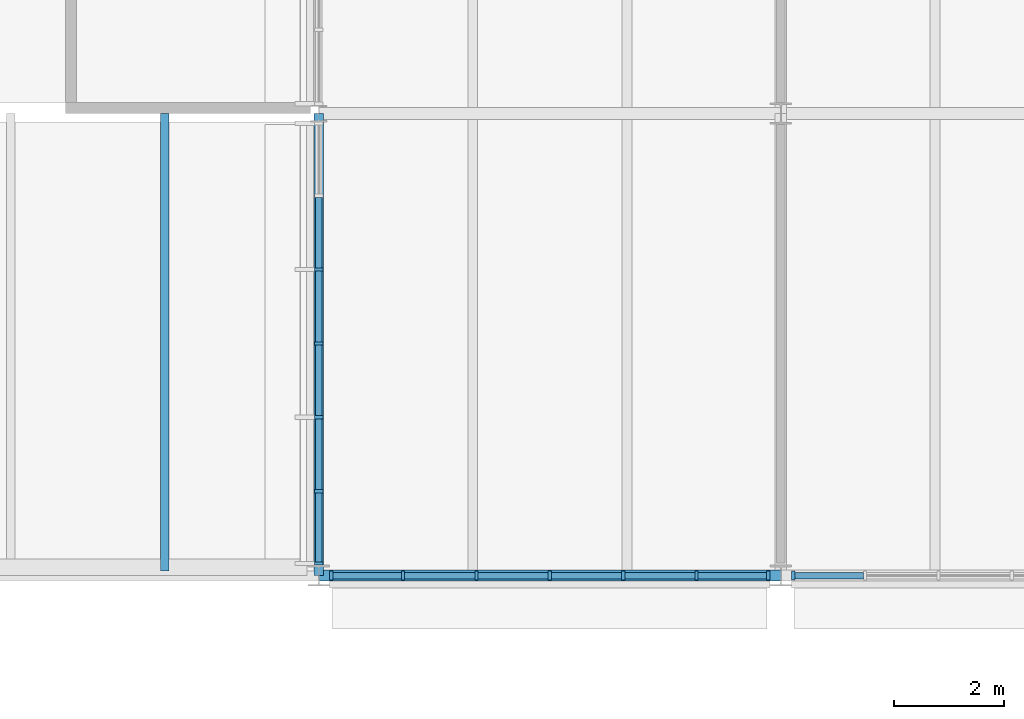
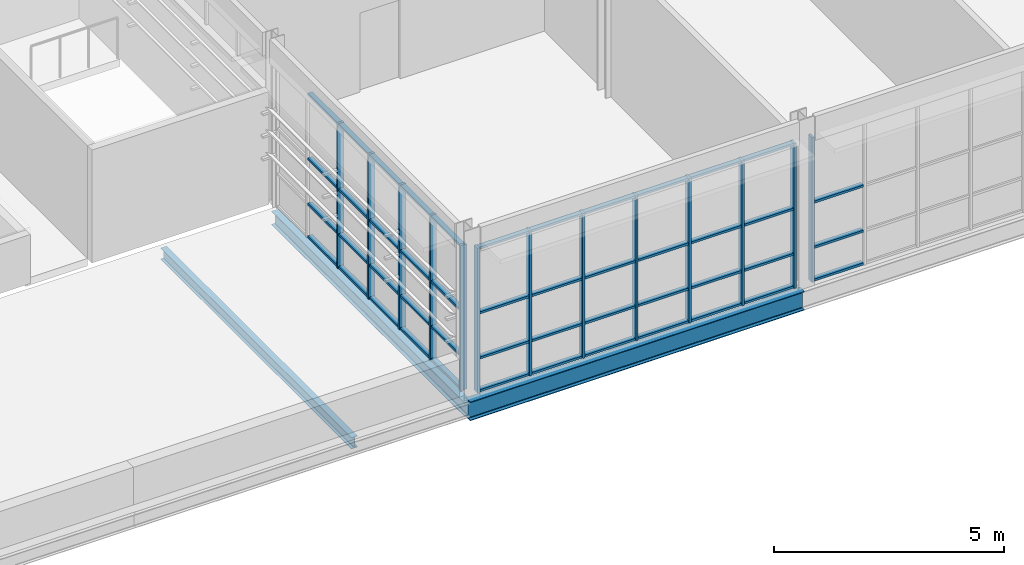
# One storey, part 9 of 29: 60 members, 3 beams, 3 elements without a shape of their own.
"""IFC4 building model written with IfcOpenShell, lengths in metres."""

import ifcopenshell
import ifcopenshell.guid

model = None  # the IFC model being written
_history = None  # IfcOwnerHistory: only IFC2X3 demands one
_inside = {}  # id of a spatial element -> (the spatial element, [elements in it])
_under = {}  # id of a project, library or spatial element -> (it, [spatial elements below it])
_declared = {}  # id of a project -> (the project, [libraries it declares])
_typed = {}  # id of a type object -> (the type object, [elements of that type])
_made_of = {}  # id of a material, layer set ... -> (it, [elements and type objects made of it])


def new_model(schema):
    """Start an empty IFC model of exactly this schema.

    Asked for "IFC4X3", IfcOpenShell would pick the latest addendum, in which some entities
    have other attributes; the version numbers below select the first issue.
    IFC2X3 requires an IfcOwnerHistory on every rooted entity: one is made here for all.
    """
    global model, _history
    if schema == "IFC4X3":
        model = ifcopenshell.file(schema_version=(4, 3, 0, 0))
    else:
        model = ifcopenshell.file(schema=schema)
    _inside.clear()
    _under.clear()
    _declared.clear()
    _typed.clear()
    _made_of.clear()
    _history = None
    if model.schema == "IFC2X3":
        org = make("IfcOrganization", Name="unknown")
        user = make(
            "IfcPersonAndOrganization",
            ThePerson=make("IfcPerson", FamilyName="unknown"),
            TheOrganization=org,
        )
        app = make(
            "IfcApplication",
            ApplicationDeveloper=org,
            Version="unknown",
            ApplicationFullName="unknown",
            ApplicationIdentifier="unknown",
        )
        _history = make(
            "IfcOwnerHistory",
            OwningUser=user,
            OwningApplication=app,
            ChangeAction="ADDED",
            CreationDate=0,
        )
    return model


def make(cls, **values):
    """One entity of the class cls with the attributes given. An attribute that is None is left unset."""
    return model.create_entity(
        cls, **{name: value for name, value in values.items() if value is not None}
    )


def rooted(cls, **values):
    """An entity with a GlobalId (a new one), such as an element, a storey or a relation."""
    return make(cls, GlobalId=ifcopenshell.guid.new(), OwnerHistory=_history, **values)


def si_unit(unit_type, name, prefix=None):
    """IfcSIUnit, for example si_unit("LENGTHUNIT", "METRE", prefix="MILLI")."""
    return make("IfcSIUnit", UnitType=unit_type, Prefix=prefix, Name=name)


def assignment(units):
    """IfcUnitAssignment: the units of a project."""
    return None if units is None else make("IfcUnitAssignment", Units=units)


def point(xyz):
    """IfcCartesianPoint."""
    return None if xyz is None else make("IfcCartesianPoint", Coordinates=xyz)


def direction(xyz):
    """IfcDirection."""
    return None if xyz is None else make("IfcDirection", DirectionRatios=xyz)


def frame(location, z_axis=None, x_axis=None):
    """IfcAxis2Placement3D, a coordinate frame: its origin and axes. An axis left out is left unset."""
    return make(
        "IfcAxis2Placement3D",
        Location=point(location),
        Axis=direction(z_axis),
        RefDirection=direction(x_axis),
    )


def frame_2d(location, x_axis=None):
    """IfcAxis2Placement2D, a coordinate frame in the plane: its origin and x axis."""
    return make(
        "IfcAxis2Placement2D", Location=point(location), RefDirection=direction(x_axis)
    )


def origin():
    """The frame at (0, 0, 0) with its axes left unset."""
    return frame((0.0, 0.0, 0.0))


def origin_2d():
    """The frame at (0, 0) in the plane with its x axis left unset."""
    return frame_2d((0.0, 0.0))


def place(relative_to, where):
    """IfcLocalPlacement: puts the frame where relative to a parent placement (None: the world)."""
    return make(
        "IfcLocalPlacement", PlacementRelTo=relative_to, RelativePlacement=where
    )


def context(
    kind, dimensions, precision=None, world=None, true_north=None, identifier=None
):
    """IfcGeometricRepresentationContext, for example the 3D "Model" context."""
    return make(
        "IfcGeometricRepresentationContext",
        ContextIdentifier=identifier,
        ContextType=kind,
        CoordinateSpaceDimension=dimensions,
        Precision=precision,
        WorldCoordinateSystem=world,
        TrueNorth=true_north,
    )


def subcontext(parent, identifier, kind, view, scale=None):
    """IfcGeometricRepresentationSubContext, for example "Body" below "Model"."""
    return make(
        "IfcGeometricRepresentationSubContext",
        ContextIdentifier=identifier,
        ContextType=kind,
        ParentContext=parent,
        TargetScale=scale,
        TargetView=view,
    )


def project(units=None, contexts=None):
    """IfcProject with its units and contexts."""
    return rooted(
        "IfcProject",
        Name="project",
        RepresentationContexts=contexts,
        UnitsInContext=assignment(units),
    )


def spatial(cls, under=None, at=None, **own):
    """A site, building, storey or space (cls), placed at a placement, below another one or the project."""
    s = rooted(cls, ObjectPlacement=at, **own)
    if under is not None:
        _under.setdefault(under.id(), (under, []))[1].append(s)
    return s


def profile(cls, at=None, kind="AREA", **sizes):
    """A parametric profile (cls). Its sizes go by their IFC names, for example OverallWidth=200.0."""
    return make(cls, ProfileType=kind, Position=at, **sizes)


def rectangle(**sizes):
    """IfcRectangleProfileDef."""
    return profile("IfcRectangleProfileDef", **sizes)


def i_section(**sizes):
    """IfcIShapeProfileDef."""
    return profile("IfcIShapeProfileDef", **sizes)


def extrude(swept, where, along, depth):
    """IfcExtrudedAreaSolid: the profile swept, set in the frame where, extruded along a direction by depth."""
    return make(
        "IfcExtrudedAreaSolid",
        SweptArea=swept,
        Position=where,
        ExtrudedDirection=direction(along),
        Depth=depth,
    )


def shape(context_of_items, identifier, shape_type, items):
    """IfcShapeRepresentation: the items that make up one representation, for example the "Body"."""
    return make(
        "IfcShapeRepresentation",
        ContextOfItems=context_of_items,
        RepresentationIdentifier=identifier,
        RepresentationType=shape_type,
        Items=items,
    )


def material(Name=None, Category=None):
    """IfcMaterial."""
    return make("IfcMaterial", Name=Name, Category=Category)


def layer(
    of_material, thickness, ventilated=None, Name=None, Category=None, Priority=None
):
    """IfcMaterialLayer: one layer of a wall or slab, of a material (None: an air gap)."""
    return make(
        "IfcMaterialLayer",
        Material=of_material,
        LayerThickness=thickness,
        IsVentilated=ventilated,
        Name=Name,
        Category=Category,
        Priority=Priority,
    )


def layer_set(layers, Name=None):
    """IfcMaterialLayerSet."""
    return make("IfcMaterialLayerSet", MaterialLayers=layers, LayerSetName=Name)


def material_profile(
    of_material, cross_section, Name=None, Category=None, Priority=None
):
    """IfcMaterialProfile: a cross section and its material."""
    return make(
        "IfcMaterialProfile",
        Name=Name,
        Material=of_material,
        Profile=cross_section,
        Priority=Priority,
        Category=Category,
    )


def profile_set(profiles, Name=None, composite=None):
    """IfcMaterialProfileSet."""
    return make(
        "IfcMaterialProfileSet",
        Name=Name,
        MaterialProfiles=profiles,
        CompositeProfile=composite,
    )


def made_of(thing, what):
    """Note that an element or type object is made of a material, layer set ...; save() writes the relation."""
    if what is not None:
        _made_of.setdefault(what.id(), (what, []))[1].append(thing)
    return thing


def type_object(cls, material=None, **own):
    """A type object (cls), such as IfcWallType, which elements share."""
    return made_of(rooted(cls, **own), material)


def element(
    cls,
    number,
    at=None,
    inside=None,
    cuts=None,
    type_object=None,
    material=None,
    context=None,
    identifier="Body",
    shape_type=None,
    held_by="IfcProductDefinitionShape",
    body=None,
    shapes=None,
    **own,
):
    """One element of the class cls, such as IfcWall. Its Tag is "e" and its number.

    at: its placement. inside: the storey or other place that contains it. cuts: it is an
    opening in that element (IfcRelVoidsElement). A single representation is given by context,
    identifier, shape_type and body (its items); several are given by shapes. held_by: the class
    of the entity that holds the representations. save() writes the other relations.
    """
    e = rooted(cls, Tag="e%d" % number, ObjectPlacement=at, **own)
    if body is not None:
        shapes = [shape(context, identifier, shape_type, body)]
    if shapes is not None:
        e.Representation = make(held_by, Representations=shapes)
    if inside is not None:
        _inside.setdefault(inside.id(), (inside, []))[1].append(e)
    if cuts is not None:
        rooted(
            "IfcRelVoidsElement", RelatingBuildingElement=cuts, RelatedOpeningElement=e
        )
    if type_object is not None:
        _typed.setdefault(type_object.id(), (type_object, []))[1].append(e)
    return made_of(e, material)


def aggregate(whole, parts):
    """IfcRelAggregates: a whole, such as a stair, and the parts it consists of."""
    return rooted("IfcRelAggregates", RelatingObject=whole, RelatedObjects=parts)


def save(model, path):
    """Write the relations noted so far, then the file.

    IfcRelAggregates (storeys below a building ...), IfcRelContainedInSpatialStructure (elements
    in a storey), IfcRelDefinesByType, IfcRelAssociatesMaterial and IfcRelDeclares: one each for
    every whole, place, type object, material and project.
    """
    for whole, parts in _under.values():
        aggregate(whole, parts)
    for where, things in _inside.values():
        rooted(
            "IfcRelContainedInSpatialStructure",
            RelatedElements=things,
            RelatingStructure=where,
        )
    for kind, things in _typed.values():
        rooted("IfcRelDefinesByType", RelatedObjects=things, RelatingType=kind)
    for what, things in _made_of.values():
        rooted("IfcRelAssociatesMaterial", RelatedObjects=things, RelatingMaterial=what)
    for by, libraries in _declared.values():
        rooted("IfcRelDeclares", RelatingContext=by, RelatedDefinitions=libraries)
    model.write(path)


model = new_model("IFC4")

# Units and contexts
model_context = context("Model", 3, precision=1e-05, world=origin(), true_north=direction((0.0, 1.0)))
body_context = subcontext(model_context, "Body", "Model", "MODEL_VIEW")
ifc_project = project(units=[si_unit("LENGTHUNIT", "METRE"), si_unit("AREAUNIT", "SQUARE_METRE"), si_unit("VOLUMEUNIT", "CUBIC_METRE"), si_unit("PLANEANGLEUNIT", "RADIAN"), si_unit("MASSUNIT", "GRAM", prefix="KILO")], contexts=[model_context])

# Site, building, storey
site_placement = place(None, origin())
site = spatial("IfcSite", under=ifc_project, at=site_placement, CompositionType="ELEMENT")
building_placement = place(site_placement, origin())
building = spatial("IfcBuilding", under=site, at=building_placement, Name="Ardhachandra Cancer Care Centre", CompositionType="ELEMENT")
storey_placement = place(building_placement, frame((0.0, 0.0, 13.5)))
storey = spatial("IfcBuildingStorey", under=building, at=storey_placement, Name="L03", CompositionType="ELEMENT", Elevation=13.5)

# Beams
ifc_material_1 = material(Name="Steel E350 (IS 2062)", Category="steel")
ifc_material_profile_1 = material_profile(ifc_material_1, i_section(OverallWidth=0.152099609375, OverallDepth=0.303955078125, WebThickness=0.008056640625, FlangeThickness=0.0126953125, FilletRadius=0.014892578125, at=origin_2d()), Name="NPB 300x150x49.32")
ifc_profile_set_1 = profile_set([ifc_material_profile_1], Name="Steel E350 (IS 2062)")
beam_type_1 = type_object("IfcBeamType", Name="Beam NPB 300x150x49.32", PredefinedType="BEAM", material=ifc_profile_set_1)
beam_1_placement = place(storey_placement, frame((108.800048828125, 79.885986328125, -0.35205078125), z_axis=(0.0, 1.0, 0.0), x_axis=(-1.0, 0.0, 0.0)))
element("IfcBeam", 1, at=beam_1_placement, inside=storey, type_object=beam_type_1, Name="Secondary J12-K12@5600", PredefinedType="BEAM", context=body_context, shape_type="SweptSolid", body=[
    extrude(i_section(OverallWidth=0.152099609375, OverallDepth=0.303955078125, WebThickness=0.008056640625, FlangeThickness=0.0126953125, FilletRadius=0.014892578125, at=origin_2d()), origin(), (0.0, 0.0, 1.0), 8.31396484375),
])
ifc_material_2 = material(Name="Steel E350 (IS 2062)", Category="steel")
ifc_material_profile_2 = material_profile(ifc_material_2, i_section(OverallWidth=0.172119140625, OverallDepth=0.364013671875, WebThickness=0.00927734375, FlangeThickness=0.0146484375, FilletRadius=0.01806640625, at=origin_2d()), Name="NPB 350x170x66.04")
ifc_profile_set_2 = profile_set([ifc_material_profile_2], Name="Steel E350 (IS 2062)")
beam_type_2 = type_object("IfcBeamType", Name="Beam NPB 350x170x66.04", PredefinedType="BEAM", material=ifc_profile_set_2)
beam_2_placement = place(storey_placement, frame((111.60009765625, 79.800048828125, -0.382080078125), z_axis=(0.0, 1.0, 0.0), x_axis=(-1.0, 0.0, 0.0)))
element("IfcBeam", 2, at=beam_2_placement, inside=storey, type_object=beam_type_2, Name="Edge girder J13-K13", PredefinedType="BEAM", context=body_context, shape_type="SweptSolid", body=[
    extrude(i_section(OverallWidth=0.172119140625, OverallDepth=0.364013671875, WebThickness=0.00927734375, FlangeThickness=0.0146484375, FilletRadius=0.01806640625, at=origin_2d()), origin(), (0.0, 0.0, 1.0), 8.39990234375),
])
ifc_material_3 = material(Name="Steel E350 (IS 2062)", Category="steel")
ifc_material_profile_3 = material_profile(ifc_material_3, i_section(OverallWidth=0.199951171875, OverallDepth=0.5, WebThickness=0.01025390625, FlangeThickness=0.01611328125, FilletRadius=0.02099609375, at=origin_2d()), Name="NPB 500x200x90.68")
ifc_profile_set_3 = profile_set([ifc_material_profile_3], Name="Steel E350 (IS 2062)")
beam_type_3 = type_object("IfcBeamType", Name="Beam NPB 500x200x90.68", PredefinedType="BEAM", material=ifc_profile_set_3)
beam_3_placement = place(storey_placement, frame((111.60009765625, 79.800048828125, -0.39990234375), z_axis=(1.0, 0.0, 0.0), x_axis=(0.0, 1.0, 0.0)))
element("IfcBeam", 3, at=beam_3_placement, inside=storey, type_object=beam_type_3, Name="Edge girder J13-J14", PredefinedType="BEAM", context=body_context, shape_type="SweptSolid", body=[
    extrude(i_section(OverallWidth=0.199951171875, OverallDepth=0.5, WebThickness=0.01025390625, FlangeThickness=0.01611328125, FilletRadius=0.02099609375, at=origin_2d()), origin(), (0.0, 0.0, 1.0), 8.39990234375),
])

# Curtain wall, members
ifc_material_4 = material(Name="Aluminium extrusion", Category="aluminium")
ifc_layer = layer(ifc_material_4, 0.14990234375)
ifc_layer_set = layer_set([ifc_layer], Name="Aluminium extrusion")
curtain_wall_type = type_object("IfcCurtainWallType", Name="Curtain wall run", PredefinedType="NOTDEFINED", material=ifc_layer_set)
curtain_wall_1_placement = place(storey_placement, origin())
curtain_wall_1 = element("IfcCurtainWall", 4, at=curtain_wall_1_placement, inside=storey, type_object=curtain_wall_type, Name="Curtain wall L03 s/0111600_0079800", PredefinedType="NOTDEFINED")
ifc_material_5 = material(Name="Aluminium extrusion", Category="aluminium")
ifc_material_profile_4 = material_profile(ifc_material_5, rectangle(XDim=0.159912109375, YDim=0.06005859375, at=origin_2d()), Name="Curtain wall mullion 60 x 160")
ifc_profile_set_4 = profile_set([ifc_material_profile_4], Name="Aluminium extrusion")
member_type_1 = type_object("IfcMemberType", Name="Curtain wall mullion 60 x 160", PredefinedType="MULLION", material=ifc_profile_set_4)
member_1_placement = place(storey_placement, frame((111.827392578125, 79.800048828125, 0.0), z_axis=(0.0, 0.0, 1.0), x_axis=(0.0, 1.0, 0.0)))
member_1 = element("IfcMember", 5, at=member_1_placement, type_object=member_type_1, Name="CW mullion 1", PredefinedType="MULLION", context=body_context, shape_type="SweptSolid", body=[
    extrude(rectangle(XDim=0.159912109375, YDim=0.06005859375, at=origin_2d()), origin(), (0.0, 0.0, 1.0), 3.85009765625),
])
member_2_placement = place(storey_placement, frame((113.131591796875, 79.800048828125, 0.0), z_axis=(0.0, 0.0, 1.0), x_axis=(0.0, 1.0, 0.0)))
member_2 = element("IfcMember", 6, at=member_2_placement, type_object=member_type_1, Name="CW mullion 2", PredefinedType="MULLION", context=body_context, shape_type="SweptSolid", body=[
    extrude(rectangle(XDim=0.159912109375, YDim=0.06005859375, at=origin_2d()), origin(), (0.0, 0.0, 1.0), 3.85009765625),
])
member_3_placement = place(storey_placement, frame((114.4658203125, 79.800048828125, 0.0), z_axis=(0.0, 0.0, 1.0), x_axis=(0.0, 1.0, 0.0)))
member_3 = element("IfcMember", 7, at=member_3_placement, type_object=member_type_1, Name="CW mullion 3", PredefinedType="MULLION", context=body_context, shape_type="SweptSolid", body=[
    extrude(rectangle(XDim=0.159912109375, YDim=0.06005859375, at=origin_2d()), origin(), (0.0, 0.0, 1.0), 3.85009765625),
])
member_4_placement = place(storey_placement, frame((115.800048828125, 79.800048828125, 0.0), z_axis=(0.0, 0.0, 1.0), x_axis=(0.0, 1.0, 0.0)))
member_4 = element("IfcMember", 8, at=member_4_placement, type_object=member_type_1, Name="CW mullion 4", PredefinedType="MULLION", context=body_context, shape_type="SweptSolid", body=[
    extrude(rectangle(XDim=0.159912109375, YDim=0.06005859375, at=origin_2d()), origin(), (0.0, 0.0, 1.0), 3.85009765625),
])
member_5_placement = place(storey_placement, frame((117.13427734375, 79.800048828125, 0.0), z_axis=(0.0, 0.0, 1.0), x_axis=(0.0, 1.0, 0.0)))
member_5 = element("IfcMember", 9, at=member_5_placement, type_object=member_type_1, Name="CW mullion 5", PredefinedType="MULLION", context=body_context, shape_type="SweptSolid", body=[
    extrude(rectangle(XDim=0.159912109375, YDim=0.06005859375, at=origin_2d()), origin(), (0.0, 0.0, 1.0), 3.85009765625),
])
member_6_placement = place(storey_placement, frame((118.46826171875, 79.800048828125, 0.0), z_axis=(0.0, 0.0, 1.0), x_axis=(0.0, 1.0, 0.0)))
member_6 = element("IfcMember", 10, at=member_6_placement, type_object=member_type_1, Name="CW mullion 6", PredefinedType="MULLION", context=body_context, shape_type="SweptSolid", body=[
    extrude(rectangle(XDim=0.159912109375, YDim=0.06005859375, at=origin_2d()), origin(), (0.0, 0.0, 1.0), 3.85009765625),
])
member_7_placement = place(storey_placement, frame((119.7724609375, 79.800048828125, 0.0), z_axis=(0.0, 0.0, 1.0), x_axis=(0.0, 1.0, 0.0)))
member_7 = element("IfcMember", 11, at=member_7_placement, type_object=member_type_1, Name="CW mullion 7", PredefinedType="MULLION", context=body_context, shape_type="SweptSolid", body=[
    extrude(rectangle(XDim=0.159912109375, YDim=0.06005859375, at=origin_2d()), origin(), (0.0, 0.0, 1.0), 3.85009765625),
])

# Curtain wall, member
curtain_wall_2_placement = place(storey_placement, origin())
curtain_wall_2 = element("IfcCurtainWall", 12, at=curtain_wall_2_placement, inside=storey, type_object=curtain_wall_type, Name="Curtain wall L03 s/0120000_0079800", PredefinedType="NOTDEFINED")
member_8_placement = place(storey_placement, frame((120.2275390625, 79.800048828125, 0.0), z_axis=(0.0, 0.0, 1.0), x_axis=(0.0, 1.0, 0.0)))
member_8 = element("IfcMember", 13, at=member_8_placement, type_object=member_type_1, Name="CW mullion 1", PredefinedType="MULLION", context=body_context, shape_type="SweptSolid", body=[
    extrude(rectangle(XDim=0.159912109375, YDim=0.06005859375, at=origin_2d()), origin(), (0.0, 0.0, 1.0), 3.85009765625),
])

# Curtain wall, members
curtain_wall_3_placement = place(storey_placement, origin())
curtain_wall_3 = element("IfcCurtainWall", 14, at=curtain_wall_3_placement, inside=storey, type_object=curtain_wall_type, Name="Curtain wall L03 w/0111600_0079800", PredefinedType="NOTDEFINED")
member_9_placement = place(storey_placement, frame((111.60009765625, 80.02001953125, 0.0), z_axis=(0.0, 0.0, 1.0), x_axis=(-1.0, 0.0, 0.0)))
member_9 = element("IfcMember", 15, at=member_9_placement, type_object=member_type_1, Name="CW mullion 1", PredefinedType="MULLION", context=body_context, shape_type="SweptSolid", body=[
    extrude(rectangle(XDim=0.159912109375, YDim=0.06005859375, at=origin_2d()), origin(), (0.0, 0.0, 1.0), 3.85009765625),
])
member_10_placement = place(storey_placement, frame((111.60009765625, 81.333251953125, 0.0), z_axis=(0.0, 0.0, 1.0), x_axis=(-1.0, 0.0, 0.0)))
member_10 = element("IfcMember", 16, at=member_10_placement, type_object=member_type_1, Name="CW mullion 2", PredefinedType="MULLION", context=body_context, shape_type="SweptSolid", body=[
    extrude(rectangle(XDim=0.159912109375, YDim=0.06005859375, at=origin_2d()), origin(), (0.0, 0.0, 1.0), 3.85009765625),
])
member_11_placement = place(storey_placement, frame((111.60009765625, 82.6767578125, 0.0), z_axis=(0.0, 0.0, 1.0), x_axis=(-1.0, 0.0, 0.0)))
member_11 = element("IfcMember", 17, at=member_11_placement, type_object=member_type_1, Name="CW mullion 3", PredefinedType="MULLION", context=body_context, shape_type="SweptSolid", body=[
    extrude(rectangle(XDim=0.159912109375, YDim=0.06005859375, at=origin_2d()), origin(), (0.0, 0.0, 1.0), 3.85009765625),
])
member_12_placement = place(storey_placement, frame((111.60009765625, 84.02001953125, 0.0), z_axis=(0.0, 0.0, 1.0), x_axis=(-1.0, 0.0, 0.0)))
member_12 = element("IfcMember", 18, at=member_12_placement, type_object=member_type_1, Name="CW mullion 4", PredefinedType="MULLION", context=body_context, shape_type="SweptSolid", body=[
    extrude(rectangle(XDim=0.159912109375, YDim=0.06005859375, at=origin_2d()), origin(), (0.0, 0.0, 1.0), 3.85009765625),
])
member_13_placement = place(storey_placement, frame((111.60009765625, 85.36328125, 0.0), z_axis=(0.0, 0.0, 1.0), x_axis=(-1.0, 0.0, 0.0)))
member_13 = element("IfcMember", 19, at=member_13_placement, type_object=member_type_1, Name="CW mullion 5", PredefinedType="MULLION", context=body_context, shape_type="SweptSolid", body=[
    extrude(rectangle(XDim=0.159912109375, YDim=0.06005859375, at=origin_2d()), origin(), (0.0, 0.0, 1.0), 3.85009765625),
])

# Member
ifc_material_6 = material(Name="Aluminium extrusion", Category="aluminium")
ifc_material_profile_5 = material_profile(ifc_material_6, rectangle(XDim=0.1201171875, YDim=0.06005859375, at=origin_2d()), Name="Curtain wall transom 60 x 120")
ifc_profile_set_5 = profile_set([ifc_material_profile_5], Name="Aluminium extrusion")
member_type_2 = type_object("IfcMemberType", Name="Curtain wall transom 60 x 120", PredefinedType="USERDEFINED", material=ifc_profile_set_5)
member_14_placement = place(storey_placement, frame((111.857421875, 79.800048828125, 0.030029296875), z_axis=(1.0, 0.0, 0.0), x_axis=(0.0, 1.0, 0.0)))
member_14 = element("IfcMember", 20, at=member_14_placement, type_object=member_type_2, Name="CW transom 1.1", ObjectType="TRANSOM", PredefinedType="USERDEFINED", context=body_context, shape_type="SweptSolid", body=[
    extrude(rectangle(XDim=0.1201171875, YDim=0.06005859375, at=origin_2d()), origin(), (0.0, 0.0, 1.0), 1.244140625),
])

member_15_placement = place(storey_placement, frame((111.857421875, 79.800048828125, 0.89990234375), z_axis=(1.0, 0.0, 0.0), x_axis=(0.0, 1.0, 0.0)))
member_15 = element("IfcMember", 21, at=member_15_placement, type_object=member_type_2, Name="CW transom 1.2", ObjectType="TRANSOM", PredefinedType="USERDEFINED", context=body_context, shape_type="SweptSolid", body=[
    extrude(rectangle(XDim=0.1201171875, YDim=0.06005859375, at=origin_2d()), origin(), (0.0, 0.0, 1.0), 1.244140625),
])

member_16_placement = place(storey_placement, frame((111.857421875, 79.800048828125, 2.10009765625), z_axis=(1.0, 0.0, 0.0), x_axis=(0.0, 1.0, 0.0)))
member_16 = element("IfcMember", 22, at=member_16_placement, type_object=member_type_2, Name="CW transom 1.3", ObjectType="TRANSOM", PredefinedType="USERDEFINED", context=body_context, shape_type="SweptSolid", body=[
    extrude(rectangle(XDim=0.1201171875, YDim=0.06005859375, at=origin_2d()), origin(), (0.0, 0.0, 1.0), 1.244140625),
])

member_17_placement = place(storey_placement, frame((111.857421875, 79.800048828125, 3.820068359375), z_axis=(1.0, 0.0, 0.0), x_axis=(0.0, 1.0, 0.0)))
member_17 = element("IfcMember", 23, at=member_17_placement, type_object=member_type_2, Name="CW transom 1.4", ObjectType="TRANSOM", PredefinedType="USERDEFINED", context=body_context, shape_type="SweptSolid", body=[
    extrude(rectangle(XDim=0.1201171875, YDim=0.06005859375, at=origin_2d()), origin(), (0.0, 0.0, 1.0), 1.244140625),
])

member_18_placement = place(storey_placement, frame((113.16162109375, 79.800048828125, 0.030029296875), z_axis=(1.0, 0.0, 0.0), x_axis=(0.0, 1.0, 0.0)))
member_18 = element("IfcMember", 24, at=member_18_placement, type_object=member_type_2, Name="CW transom 2.1", ObjectType="TRANSOM", PredefinedType="USERDEFINED", context=body_context, shape_type="SweptSolid", body=[
    extrude(rectangle(XDim=0.1201171875, YDim=0.06005859375, at=origin_2d()), origin(), (0.0, 0.0, 1.0), 1.274169921875),
])

member_19_placement = place(storey_placement, frame((113.16162109375, 79.800048828125, 0.89990234375), z_axis=(1.0, 0.0, 0.0), x_axis=(0.0, 1.0, 0.0)))
member_19 = element("IfcMember", 25, at=member_19_placement, type_object=member_type_2, Name="CW transom 2.2", ObjectType="TRANSOM", PredefinedType="USERDEFINED", context=body_context, shape_type="SweptSolid", body=[
    extrude(rectangle(XDim=0.1201171875, YDim=0.06005859375, at=origin_2d()), origin(), (0.0, 0.0, 1.0), 1.274169921875),
])

member_20_placement = place(storey_placement, frame((113.16162109375, 79.800048828125, 2.10009765625), z_axis=(1.0, 0.0, 0.0), x_axis=(0.0, 1.0, 0.0)))
member_20 = element("IfcMember", 26, at=member_20_placement, type_object=member_type_2, Name="CW transom 2.3", ObjectType="TRANSOM", PredefinedType="USERDEFINED", context=body_context, shape_type="SweptSolid", body=[
    extrude(rectangle(XDim=0.1201171875, YDim=0.06005859375, at=origin_2d()), origin(), (0.0, 0.0, 1.0), 1.274169921875),
])

member_21_placement = place(storey_placement, frame((113.16162109375, 79.800048828125, 3.820068359375), z_axis=(1.0, 0.0, 0.0), x_axis=(0.0, 1.0, 0.0)))
member_21 = element("IfcMember", 27, at=member_21_placement, type_object=member_type_2, Name="CW transom 2.4", ObjectType="TRANSOM", PredefinedType="USERDEFINED", context=body_context, shape_type="SweptSolid", body=[
    extrude(rectangle(XDim=0.1201171875, YDim=0.06005859375, at=origin_2d()), origin(), (0.0, 0.0, 1.0), 1.274169921875),
])

member_22_placement = place(storey_placement, frame((114.495849609375, 79.800048828125, 0.030029296875), z_axis=(1.0, 0.0, 0.0), x_axis=(0.0, 1.0, 0.0)))
member_22 = element("IfcMember", 28, at=member_22_placement, type_object=member_type_2, Name="CW transom 3.1", ObjectType="TRANSOM", PredefinedType="USERDEFINED", context=body_context, shape_type="SweptSolid", body=[
    extrude(rectangle(XDim=0.1201171875, YDim=0.06005859375, at=origin_2d()), origin(), (0.0, 0.0, 1.0), 1.274169921875),
])

member_23_placement = place(storey_placement, frame((114.495849609375, 79.800048828125, 0.89990234375), z_axis=(1.0, 0.0, 0.0), x_axis=(0.0, 1.0, 0.0)))
member_23 = element("IfcMember", 29, at=member_23_placement, type_object=member_type_2, Name="CW transom 3.2", ObjectType="TRANSOM", PredefinedType="USERDEFINED", context=body_context, shape_type="SweptSolid", body=[
    extrude(rectangle(XDim=0.1201171875, YDim=0.06005859375, at=origin_2d()), origin(), (0.0, 0.0, 1.0), 1.274169921875),
])

member_24_placement = place(storey_placement, frame((114.495849609375, 79.800048828125, 2.10009765625), z_axis=(1.0, 0.0, 0.0), x_axis=(0.0, 1.0, 0.0)))
member_24 = element("IfcMember", 30, at=member_24_placement, type_object=member_type_2, Name="CW transom 3.3", ObjectType="TRANSOM", PredefinedType="USERDEFINED", context=body_context, shape_type="SweptSolid", body=[
    extrude(rectangle(XDim=0.1201171875, YDim=0.06005859375, at=origin_2d()), origin(), (0.0, 0.0, 1.0), 1.274169921875),
])

member_25_placement = place(storey_placement, frame((114.495849609375, 79.800048828125, 3.820068359375), z_axis=(1.0, 0.0, 0.0), x_axis=(0.0, 1.0, 0.0)))
member_25 = element("IfcMember", 31, at=member_25_placement, type_object=member_type_2, Name="CW transom 3.4", ObjectType="TRANSOM", PredefinedType="USERDEFINED", context=body_context, shape_type="SweptSolid", body=[
    extrude(rectangle(XDim=0.1201171875, YDim=0.06005859375, at=origin_2d()), origin(), (0.0, 0.0, 1.0), 1.274169921875),
])

member_26_placement = place(storey_placement, frame((115.830078125, 79.800048828125, 0.030029296875), z_axis=(1.0, 0.0, 0.0), x_axis=(0.0, 1.0, 0.0)))
member_26 = element("IfcMember", 32, at=member_26_placement, type_object=member_type_2, Name="CW transom 4.1", ObjectType="TRANSOM", PredefinedType="USERDEFINED", context=body_context, shape_type="SweptSolid", body=[
    extrude(rectangle(XDim=0.1201171875, YDim=0.06005859375, at=origin_2d()), origin(), (0.0, 0.0, 1.0), 1.274169921875),
])

member_27_placement = place(storey_placement, frame((115.830078125, 79.800048828125, 0.89990234375), z_axis=(1.0, 0.0, 0.0), x_axis=(0.0, 1.0, 0.0)))
member_27 = element("IfcMember", 33, at=member_27_placement, type_object=member_type_2, Name="CW transom 4.2", ObjectType="TRANSOM", PredefinedType="USERDEFINED", context=body_context, shape_type="SweptSolid", body=[
    extrude(rectangle(XDim=0.1201171875, YDim=0.06005859375, at=origin_2d()), origin(), (0.0, 0.0, 1.0), 1.274169921875),
])

member_28_placement = place(storey_placement, frame((115.830078125, 79.800048828125, 2.10009765625), z_axis=(1.0, 0.0, 0.0), x_axis=(0.0, 1.0, 0.0)))
member_28 = element("IfcMember", 34, at=member_28_placement, type_object=member_type_2, Name="CW transom 4.3", ObjectType="TRANSOM", PredefinedType="USERDEFINED", context=body_context, shape_type="SweptSolid", body=[
    extrude(rectangle(XDim=0.1201171875, YDim=0.06005859375, at=origin_2d()), origin(), (0.0, 0.0, 1.0), 1.274169921875),
])

member_29_placement = place(storey_placement, frame((115.830078125, 79.800048828125, 3.820068359375), z_axis=(1.0, 0.0, 0.0), x_axis=(0.0, 1.0, 0.0)))
member_29 = element("IfcMember", 35, at=member_29_placement, type_object=member_type_2, Name="CW transom 4.4", ObjectType="TRANSOM", PredefinedType="USERDEFINED", context=body_context, shape_type="SweptSolid", body=[
    extrude(rectangle(XDim=0.1201171875, YDim=0.06005859375, at=origin_2d()), origin(), (0.0, 0.0, 1.0), 1.274169921875),
])

member_30_placement = place(storey_placement, frame((117.1640625, 79.800048828125, 0.030029296875), z_axis=(1.0, 0.0, 0.0), x_axis=(0.0, 1.0, 0.0)))
member_30 = element("IfcMember", 36, at=member_30_placement, type_object=member_type_2, Name="CW transom 5.1", ObjectType="TRANSOM", PredefinedType="USERDEFINED", context=body_context, shape_type="SweptSolid", body=[
    extrude(rectangle(XDim=0.1201171875, YDim=0.06005859375, at=origin_2d()), origin(), (0.0, 0.0, 1.0), 1.274169921875),
])

member_31_placement = place(storey_placement, frame((117.1640625, 79.800048828125, 0.89990234375), z_axis=(1.0, 0.0, 0.0), x_axis=(0.0, 1.0, 0.0)))
member_31 = element("IfcMember", 37, at=member_31_placement, type_object=member_type_2, Name="CW transom 5.2", ObjectType="TRANSOM", PredefinedType="USERDEFINED", context=body_context, shape_type="SweptSolid", body=[
    extrude(rectangle(XDim=0.1201171875, YDim=0.06005859375, at=origin_2d()), origin(), (0.0, 0.0, 1.0), 1.274169921875),
])

member_32_placement = place(storey_placement, frame((117.1640625, 79.800048828125, 2.10009765625), z_axis=(1.0, 0.0, 0.0), x_axis=(0.0, 1.0, 0.0)))
member_32 = element("IfcMember", 38, at=member_32_placement, type_object=member_type_2, Name="CW transom 5.3", ObjectType="TRANSOM", PredefinedType="USERDEFINED", context=body_context, shape_type="SweptSolid", body=[
    extrude(rectangle(XDim=0.1201171875, YDim=0.06005859375, at=origin_2d()), origin(), (0.0, 0.0, 1.0), 1.274169921875),
])

member_33_placement = place(storey_placement, frame((117.1640625, 79.800048828125, 3.820068359375), z_axis=(1.0, 0.0, 0.0), x_axis=(0.0, 1.0, 0.0)))
member_33 = element("IfcMember", 39, at=member_33_placement, type_object=member_type_2, Name="CW transom 5.4", ObjectType="TRANSOM", PredefinedType="USERDEFINED", context=body_context, shape_type="SweptSolid", body=[
    extrude(rectangle(XDim=0.1201171875, YDim=0.06005859375, at=origin_2d()), origin(), (0.0, 0.0, 1.0), 1.274169921875),
])

member_34_placement = place(storey_placement, frame((118.498291015625, 79.800048828125, 0.030029296875), z_axis=(1.0, 0.0, 0.0), x_axis=(0.0, 1.0, 0.0)))
member_34 = element("IfcMember", 40, at=member_34_placement, type_object=member_type_2, Name="CW transom 6.1", ObjectType="TRANSOM", PredefinedType="USERDEFINED", context=body_context, shape_type="SweptSolid", body=[
    extrude(rectangle(XDim=0.1201171875, YDim=0.06005859375, at=origin_2d()), origin(), (0.0, 0.0, 1.0), 1.244140625),
])

member_35_placement = place(storey_placement, frame((118.498291015625, 79.800048828125, 0.89990234375), z_axis=(1.0, 0.0, 0.0), x_axis=(0.0, 1.0, 0.0)))
member_35 = element("IfcMember", 41, at=member_35_placement, type_object=member_type_2, Name="CW transom 6.2", ObjectType="TRANSOM", PredefinedType="USERDEFINED", context=body_context, shape_type="SweptSolid", body=[
    extrude(rectangle(XDim=0.1201171875, YDim=0.06005859375, at=origin_2d()), origin(), (0.0, 0.0, 1.0), 1.244140625),
])

member_36_placement = place(storey_placement, frame((118.498291015625, 79.800048828125, 2.10009765625), z_axis=(1.0, 0.0, 0.0), x_axis=(0.0, 1.0, 0.0)))
member_36 = element("IfcMember", 42, at=member_36_placement, type_object=member_type_2, Name="CW transom 6.3", ObjectType="TRANSOM", PredefinedType="USERDEFINED", context=body_context, shape_type="SweptSolid", body=[
    extrude(rectangle(XDim=0.1201171875, YDim=0.06005859375, at=origin_2d()), origin(), (0.0, 0.0, 1.0), 1.244140625),
])

member_37_placement = place(storey_placement, frame((118.498291015625, 79.800048828125, 3.820068359375), z_axis=(1.0, 0.0, 0.0), x_axis=(0.0, 1.0, 0.0)))
member_37 = element("IfcMember", 43, at=member_37_placement, type_object=member_type_2, Name="CW transom 6.4", ObjectType="TRANSOM", PredefinedType="USERDEFINED", context=body_context, shape_type="SweptSolid", body=[
    extrude(rectangle(XDim=0.1201171875, YDim=0.06005859375, at=origin_2d()), origin(), (0.0, 0.0, 1.0), 1.244140625),
])

aggregate(curtain_wall_1, [member_1, member_2, member_3, member_4, member_5, member_6, member_7, member_14, member_15, member_16, member_17, member_18, member_19, member_20, member_21, member_22, member_23, member_24, member_25, member_26, member_27, member_28, member_29, member_30, member_31, member_32, member_33, member_34, member_35, member_36, member_37])

member_38_placement = place(storey_placement, frame((120.257568359375, 79.800048828125, 0.030029296875), z_axis=(1.0, 0.0, 0.0), x_axis=(0.0, 1.0, 0.0)))
member_38 = element("IfcMember", 44, at=member_38_placement, type_object=member_type_2, Name="CW transom 1.1", ObjectType="TRANSOM", PredefinedType="USERDEFINED", context=body_context, shape_type="SweptSolid", body=[
    extrude(rectangle(XDim=0.1201171875, YDim=0.06005859375, at=origin_2d()), origin(), (0.0, 0.0, 1.0), 1.244140625),
])

member_39_placement = place(storey_placement, frame((120.257568359375, 79.800048828125, 0.89990234375), z_axis=(1.0, 0.0, 0.0), x_axis=(0.0, 1.0, 0.0)))
member_39 = element("IfcMember", 45, at=member_39_placement, type_object=member_type_2, Name="CW transom 1.2", ObjectType="TRANSOM", PredefinedType="USERDEFINED", context=body_context, shape_type="SweptSolid", body=[
    extrude(rectangle(XDim=0.1201171875, YDim=0.06005859375, at=origin_2d()), origin(), (0.0, 0.0, 1.0), 1.244140625),
])

member_40_placement = place(storey_placement, frame((120.257568359375, 79.800048828125, 2.10009765625), z_axis=(1.0, 0.0, 0.0), x_axis=(0.0, 1.0, 0.0)))
member_40 = element("IfcMember", 46, at=member_40_placement, type_object=member_type_2, Name="CW transom 1.3", ObjectType="TRANSOM", PredefinedType="USERDEFINED", context=body_context, shape_type="SweptSolid", body=[
    extrude(rectangle(XDim=0.1201171875, YDim=0.06005859375, at=origin_2d()), origin(), (0.0, 0.0, 1.0), 1.244140625),
])

aggregate(curtain_wall_2, [member_8, member_38, member_39, member_40])

member_41_placement = place(storey_placement, frame((111.60009765625, 80.050048828125, 0.030029296875), z_axis=(0.0, 1.0, 0.0), x_axis=(-1.0, 0.0, 0.0)))
member_41 = element("IfcMember", 47, at=member_41_placement, type_object=member_type_2, Name="CW transom 1.1", ObjectType="TRANSOM", PredefinedType="USERDEFINED", context=body_context, shape_type="SweptSolid", body=[
    extrude(rectangle(XDim=0.1201171875, YDim=0.06005859375, at=origin_2d()), origin(), (0.0, 0.0, 1.0), 1.253173828125),
])

member_42_placement = place(storey_placement, frame((111.60009765625, 80.050048828125, 0.89990234375), z_axis=(0.0, 1.0, 0.0), x_axis=(-1.0, 0.0, 0.0)))
member_42 = element("IfcMember", 48, at=member_42_placement, type_object=member_type_2, Name="CW transom 1.2", ObjectType="TRANSOM", PredefinedType="USERDEFINED", context=body_context, shape_type="SweptSolid", body=[
    extrude(rectangle(XDim=0.1201171875, YDim=0.06005859375, at=origin_2d()), origin(), (0.0, 0.0, 1.0), 1.253173828125),
])

member_43_placement = place(storey_placement, frame((111.60009765625, 80.050048828125, 2.10009765625), z_axis=(0.0, 1.0, 0.0), x_axis=(-1.0, 0.0, 0.0)))
member_43 = element("IfcMember", 49, at=member_43_placement, type_object=member_type_2, Name="CW transom 1.3", ObjectType="TRANSOM", PredefinedType="USERDEFINED", context=body_context, shape_type="SweptSolid", body=[
    extrude(rectangle(XDim=0.1201171875, YDim=0.06005859375, at=origin_2d()), origin(), (0.0, 0.0, 1.0), 1.253173828125),
])

member_44_placement = place(storey_placement, frame((111.60009765625, 80.050048828125, 3.820068359375), z_axis=(0.0, 1.0, 0.0), x_axis=(-1.0, 0.0, 0.0)))
member_44 = element("IfcMember", 50, at=member_44_placement, type_object=member_type_2, Name="CW transom 1.4", ObjectType="TRANSOM", PredefinedType="USERDEFINED", context=body_context, shape_type="SweptSolid", body=[
    extrude(rectangle(XDim=0.1201171875, YDim=0.06005859375, at=origin_2d()), origin(), (0.0, 0.0, 1.0), 1.253173828125),
])

member_45_placement = place(storey_placement, frame((111.60009765625, 81.36328125, 0.030029296875), z_axis=(0.0, 1.0, 0.0), x_axis=(-1.0, 0.0, 0.0)))
member_45 = element("IfcMember", 51, at=member_45_placement, type_object=member_type_2, Name="CW transom 2.1", ObjectType="TRANSOM", PredefinedType="USERDEFINED", context=body_context, shape_type="SweptSolid", body=[
    extrude(rectangle(XDim=0.1201171875, YDim=0.06005859375, at=origin_2d()), origin(), (0.0, 0.0, 1.0), 1.283447265625),
])

member_46_placement = place(storey_placement, frame((111.60009765625, 81.36328125, 0.89990234375), z_axis=(0.0, 1.0, 0.0), x_axis=(-1.0, 0.0, 0.0)))
member_46 = element("IfcMember", 52, at=member_46_placement, type_object=member_type_2, Name="CW transom 2.2", ObjectType="TRANSOM", PredefinedType="USERDEFINED", context=body_context, shape_type="SweptSolid", body=[
    extrude(rectangle(XDim=0.1201171875, YDim=0.06005859375, at=origin_2d()), origin(), (0.0, 0.0, 1.0), 1.283447265625),
])

member_47_placement = place(storey_placement, frame((111.60009765625, 81.36328125, 2.10009765625), z_axis=(0.0, 1.0, 0.0), x_axis=(-1.0, 0.0, 0.0)))
member_47 = element("IfcMember", 53, at=member_47_placement, type_object=member_type_2, Name="CW transom 2.3", ObjectType="TRANSOM", PredefinedType="USERDEFINED", context=body_context, shape_type="SweptSolid", body=[
    extrude(rectangle(XDim=0.1201171875, YDim=0.06005859375, at=origin_2d()), origin(), (0.0, 0.0, 1.0), 1.283447265625),
])

member_48_placement = place(storey_placement, frame((111.60009765625, 81.36328125, 3.820068359375), z_axis=(0.0, 1.0, 0.0), x_axis=(-1.0, 0.0, 0.0)))
member_48 = element("IfcMember", 54, at=member_48_placement, type_object=member_type_2, Name="CW transom 2.4", ObjectType="TRANSOM", PredefinedType="USERDEFINED", context=body_context, shape_type="SweptSolid", body=[
    extrude(rectangle(XDim=0.1201171875, YDim=0.06005859375, at=origin_2d()), origin(), (0.0, 0.0, 1.0), 1.283447265625),
])

member_49_placement = place(storey_placement, frame((111.60009765625, 82.706787109375, 0.030029296875), z_axis=(0.0, 1.0, 0.0), x_axis=(-1.0, 0.0, 0.0)))
member_49 = element("IfcMember", 55, at=member_49_placement, type_object=member_type_2, Name="CW transom 3.1", ObjectType="TRANSOM", PredefinedType="USERDEFINED", context=body_context, shape_type="SweptSolid", body=[
    extrude(rectangle(XDim=0.1201171875, YDim=0.06005859375, at=origin_2d()), origin(), (0.0, 0.0, 1.0), 1.283203125),
])

member_50_placement = place(storey_placement, frame((111.60009765625, 82.706787109375, 0.89990234375), z_axis=(0.0, 1.0, 0.0), x_axis=(-1.0, 0.0, 0.0)))
member_50 = element("IfcMember", 56, at=member_50_placement, type_object=member_type_2, Name="CW transom 3.2", ObjectType="TRANSOM", PredefinedType="USERDEFINED", context=body_context, shape_type="SweptSolid", body=[
    extrude(rectangle(XDim=0.1201171875, YDim=0.06005859375, at=origin_2d()), origin(), (0.0, 0.0, 1.0), 1.283203125),
])

member_51_placement = place(storey_placement, frame((111.60009765625, 82.706787109375, 2.10009765625), z_axis=(0.0, 1.0, 0.0), x_axis=(-1.0, 0.0, 0.0)))
member_51 = element("IfcMember", 57, at=member_51_placement, type_object=member_type_2, Name="CW transom 3.3", ObjectType="TRANSOM", PredefinedType="USERDEFINED", context=body_context, shape_type="SweptSolid", body=[
    extrude(rectangle(XDim=0.1201171875, YDim=0.06005859375, at=origin_2d()), origin(), (0.0, 0.0, 1.0), 1.283203125),
])

member_52_placement = place(storey_placement, frame((111.60009765625, 82.706787109375, 3.820068359375), z_axis=(0.0, 1.0, 0.0), x_axis=(-1.0, 0.0, 0.0)))
member_52 = element("IfcMember", 58, at=member_52_placement, type_object=member_type_2, Name="CW transom 3.4", ObjectType="TRANSOM", PredefinedType="USERDEFINED", context=body_context, shape_type="SweptSolid", body=[
    extrude(rectangle(XDim=0.1201171875, YDim=0.06005859375, at=origin_2d()), origin(), (0.0, 0.0, 1.0), 1.283203125),
])

member_53_placement = place(storey_placement, frame((111.60009765625, 84.050048828125, 0.030029296875), z_axis=(0.0, 1.0, 0.0), x_axis=(-1.0, 0.0, 0.0)))
member_53 = element("IfcMember", 59, at=member_53_placement, type_object=member_type_2, Name="CW transom 4.1", ObjectType="TRANSOM", PredefinedType="USERDEFINED", context=body_context, shape_type="SweptSolid", body=[
    extrude(rectangle(XDim=0.1201171875, YDim=0.06005859375, at=origin_2d()), origin(), (0.0, 0.0, 1.0), 1.283203125),
])

member_54_placement = place(storey_placement, frame((111.60009765625, 84.050048828125, 0.89990234375), z_axis=(0.0, 1.0, 0.0), x_axis=(-1.0, 0.0, 0.0)))
member_54 = element("IfcMember", 60, at=member_54_placement, type_object=member_type_2, Name="CW transom 4.2", ObjectType="TRANSOM", PredefinedType="USERDEFINED", context=body_context, shape_type="SweptSolid", body=[
    extrude(rectangle(XDim=0.1201171875, YDim=0.06005859375, at=origin_2d()), origin(), (0.0, 0.0, 1.0), 1.283203125),
])

member_55_placement = place(storey_placement, frame((111.60009765625, 84.050048828125, 2.10009765625), z_axis=(0.0, 1.0, 0.0), x_axis=(-1.0, 0.0, 0.0)))
member_55 = element("IfcMember", 61, at=member_55_placement, type_object=member_type_2, Name="CW transom 4.3", ObjectType="TRANSOM", PredefinedType="USERDEFINED", context=body_context, shape_type="SweptSolid", body=[
    extrude(rectangle(XDim=0.1201171875, YDim=0.06005859375, at=origin_2d()), origin(), (0.0, 0.0, 1.0), 1.283203125),
])

member_56_placement = place(storey_placement, frame((111.60009765625, 84.050048828125, 3.820068359375), z_axis=(0.0, 1.0, 0.0), x_axis=(-1.0, 0.0, 0.0)))
member_56 = element("IfcMember", 62, at=member_56_placement, type_object=member_type_2, Name="CW transom 4.4", ObjectType="TRANSOM", PredefinedType="USERDEFINED", context=body_context, shape_type="SweptSolid", body=[
    extrude(rectangle(XDim=0.1201171875, YDim=0.06005859375, at=origin_2d()), origin(), (0.0, 0.0, 1.0), 1.283203125),
])

member_57_placement = place(storey_placement, frame((111.60009765625, 85.393310546875, 0.030029296875), z_axis=(0.0, 1.0, 0.0), x_axis=(-1.0, 0.0, 0.0)))
member_57 = element("IfcMember", 63, at=member_57_placement, type_object=member_type_2, Name="CW transom 5.1", ObjectType="TRANSOM", PredefinedType="USERDEFINED", context=body_context, shape_type="SweptSolid", body=[
    extrude(rectangle(XDim=0.1201171875, YDim=0.06005859375, at=origin_2d()), origin(), (0.0, 0.0, 1.0), 1.283447265625),
])

member_58_placement = place(storey_placement, frame((111.60009765625, 85.393310546875, 0.89990234375), z_axis=(0.0, 1.0, 0.0), x_axis=(-1.0, 0.0, 0.0)))
member_58 = element("IfcMember", 64, at=member_58_placement, type_object=member_type_2, Name="CW transom 5.2", ObjectType="TRANSOM", PredefinedType="USERDEFINED", context=body_context, shape_type="SweptSolid", body=[
    extrude(rectangle(XDim=0.1201171875, YDim=0.06005859375, at=origin_2d()), origin(), (0.0, 0.0, 1.0), 1.283447265625),
])

member_59_placement = place(storey_placement, frame((111.60009765625, 85.393310546875, 2.10009765625), z_axis=(0.0, 1.0, 0.0), x_axis=(-1.0, 0.0, 0.0)))
member_59 = element("IfcMember", 65, at=member_59_placement, type_object=member_type_2, Name="CW transom 5.3", ObjectType="TRANSOM", PredefinedType="USERDEFINED", context=body_context, shape_type="SweptSolid", body=[
    extrude(rectangle(XDim=0.1201171875, YDim=0.06005859375, at=origin_2d()), origin(), (0.0, 0.0, 1.0), 1.283447265625),
])

member_60_placement = place(storey_placement, frame((111.60009765625, 85.393310546875, 3.820068359375), z_axis=(0.0, 1.0, 0.0), x_axis=(-1.0, 0.0, 0.0)))
member_60 = element("IfcMember", 66, at=member_60_placement, type_object=member_type_2, Name="CW transom 5.4", ObjectType="TRANSOM", PredefinedType="USERDEFINED", context=body_context, shape_type="SweptSolid", body=[
    extrude(rectangle(XDim=0.1201171875, YDim=0.06005859375, at=origin_2d()), origin(), (0.0, 0.0, 1.0), 1.283447265625),
])

aggregate(curtain_wall_3, [member_9, member_10, member_11, member_12, member_13, member_41, member_42, member_43, member_44, member_45, member_46, member_47, member_48, member_49, member_50, member_51, member_52, member_53, member_54, member_55, member_56, member_57, member_58, member_59, member_60])

save(model, "model.ifc")
